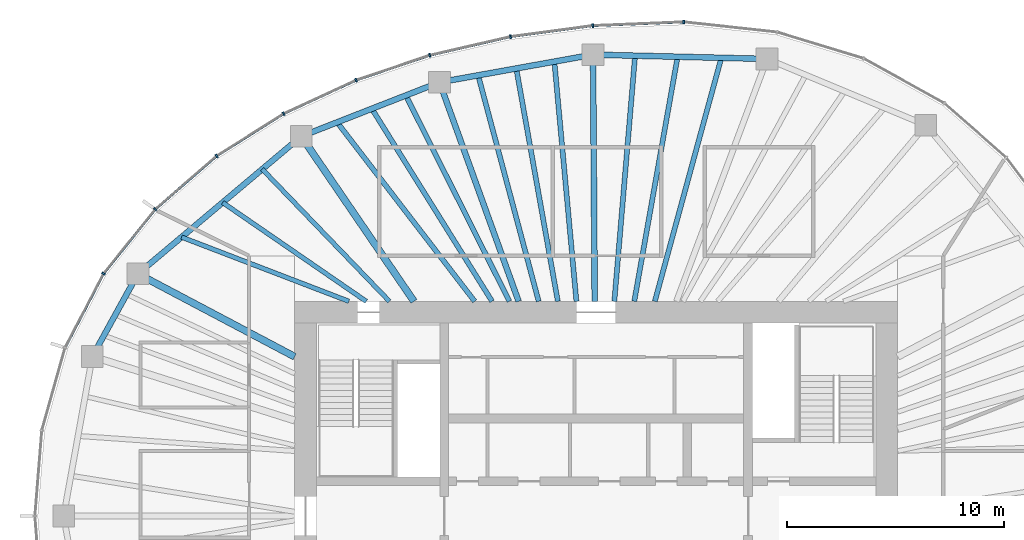
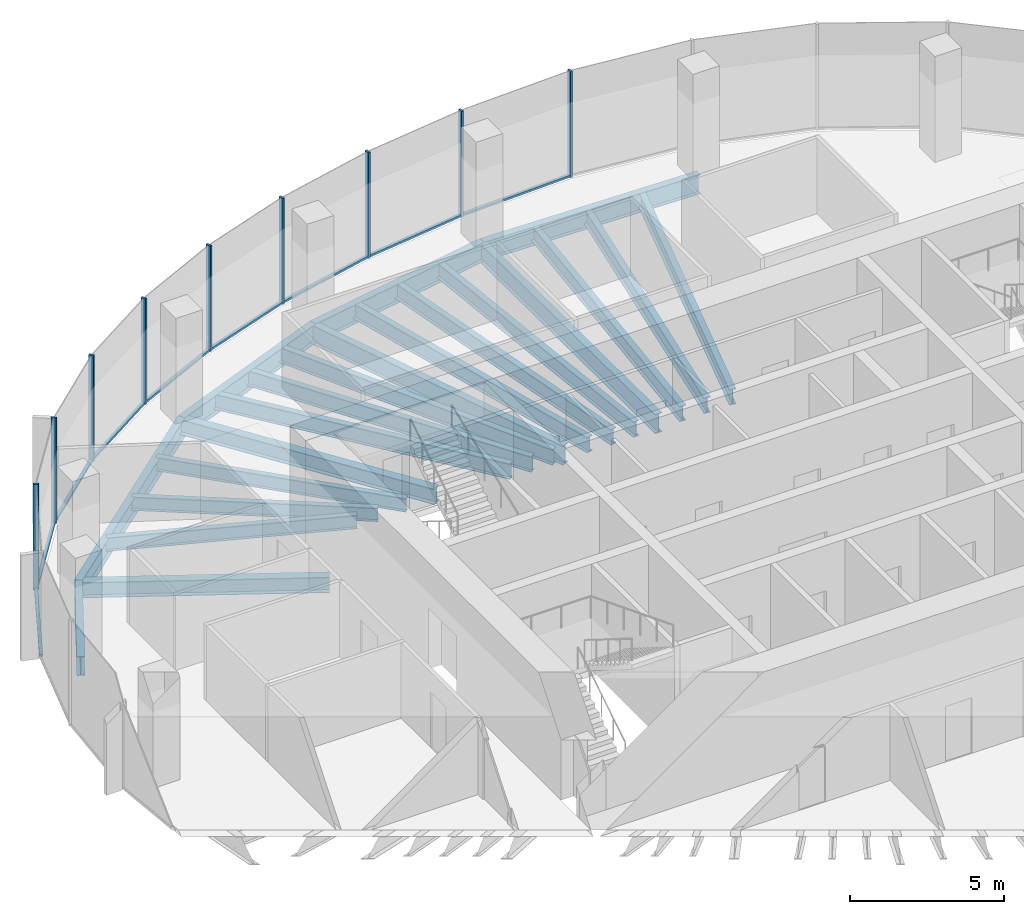
# One storey, part 5 of 11: 21 beams, 18 members, 5 elements without a shape of their own.
"""IFC4 building model written with IfcOpenShell, lengths in metres."""

import ifcopenshell
import ifcopenshell.guid

model = None  # the IFC model being written
_history = None  # IfcOwnerHistory: only IFC2X3 demands one
_inside = {}  # id of a spatial element -> (the spatial element, [elements in it])
_under = {}  # id of a project, library or spatial element -> (it, [spatial elements below it])
_declared = {}  # id of a project -> (the project, [libraries it declares])
_typed = {}  # id of a type object -> (the type object, [elements of that type])
_made_of = {}  # id of a material, layer set ... -> (it, [elements and type objects made of it])


def new_model(schema):
    """Start an empty IFC model of exactly this schema.

    Asked for "IFC4X3", IfcOpenShell would pick the latest addendum, in which some entities
    have other attributes; the version numbers below select the first issue.
    IFC2X3 requires an IfcOwnerHistory on every rooted entity: one is made here for all.
    """
    global model, _history
    if schema == "IFC4X3":
        model = ifcopenshell.file(schema_version=(4, 3, 0, 0))
    else:
        model = ifcopenshell.file(schema=schema)
    _inside.clear()
    _under.clear()
    _declared.clear()
    _typed.clear()
    _made_of.clear()
    _history = None
    if model.schema == "IFC2X3":
        org = make("IfcOrganization", Name="unknown")
        user = make(
            "IfcPersonAndOrganization",
            ThePerson=make("IfcPerson", FamilyName="unknown"),
            TheOrganization=org,
        )
        app = make(
            "IfcApplication",
            ApplicationDeveloper=org,
            Version="unknown",
            ApplicationFullName="unknown",
            ApplicationIdentifier="unknown",
        )
        _history = make(
            "IfcOwnerHistory",
            OwningUser=user,
            OwningApplication=app,
            ChangeAction="ADDED",
            CreationDate=0,
        )
    return model


def make(cls, **values):
    """One entity of the class cls with the attributes given. An attribute that is None is left unset."""
    return model.create_entity(
        cls, **{name: value for name, value in values.items() if value is not None}
    )


def rooted(cls, **values):
    """An entity with a GlobalId (a new one), such as an element, a storey or a relation."""
    return make(cls, GlobalId=ifcopenshell.guid.new(), OwnerHistory=_history, **values)


def si_unit(unit_type, name, prefix=None):
    """IfcSIUnit, for example si_unit("LENGTHUNIT", "METRE", prefix="MILLI")."""
    return make("IfcSIUnit", UnitType=unit_type, Prefix=prefix, Name=name)


def assignment(units):
    """IfcUnitAssignment: the units of a project."""
    return None if units is None else make("IfcUnitAssignment", Units=units)


def point(xyz):
    """IfcCartesianPoint."""
    return None if xyz is None else make("IfcCartesianPoint", Coordinates=xyz)


def direction(xyz):
    """IfcDirection."""
    return None if xyz is None else make("IfcDirection", DirectionRatios=xyz)


def frame(location, z_axis=None, x_axis=None):
    """IfcAxis2Placement3D, a coordinate frame: its origin and axes. An axis left out is left unset."""
    return make(
        "IfcAxis2Placement3D",
        Location=point(location),
        Axis=direction(z_axis),
        RefDirection=direction(x_axis),
    )


def frame_2d(location, x_axis=None):
    """IfcAxis2Placement2D, a coordinate frame in the plane: its origin and x axis."""
    return make(
        "IfcAxis2Placement2D", Location=point(location), RefDirection=direction(x_axis)
    )


def origin():
    """The frame at (0, 0, 0) with its axes left unset."""
    return frame((0.0, 0.0, 0.0))


def origin_2d():
    """The frame at (0, 0) in the plane with its x axis left unset."""
    return frame_2d((0.0, 0.0))


def place(relative_to, where):
    """IfcLocalPlacement: puts the frame where relative to a parent placement (None: the world)."""
    return make(
        "IfcLocalPlacement", PlacementRelTo=relative_to, RelativePlacement=where
    )


def context(
    kind, dimensions, precision=None, world=None, true_north=None, identifier=None
):
    """IfcGeometricRepresentationContext, for example the 3D "Model" context."""
    return make(
        "IfcGeometricRepresentationContext",
        ContextIdentifier=identifier,
        ContextType=kind,
        CoordinateSpaceDimension=dimensions,
        Precision=precision,
        WorldCoordinateSystem=world,
        TrueNorth=true_north,
    )


def subcontext(parent, identifier, kind, view, scale=None):
    """IfcGeometricRepresentationSubContext, for example "Body" below "Model"."""
    return make(
        "IfcGeometricRepresentationSubContext",
        ContextIdentifier=identifier,
        ContextType=kind,
        ParentContext=parent,
        TargetScale=scale,
        TargetView=view,
    )


def project(units=None, contexts=None):
    """IfcProject with its units and contexts."""
    return rooted(
        "IfcProject",
        Name="project",
        RepresentationContexts=contexts,
        UnitsInContext=assignment(units),
    )


def spatial(cls, under=None, at=None, **own):
    """A site, building, storey or space (cls), placed at a placement, below another one or the project."""
    s = rooted(cls, ObjectPlacement=at, **own)
    if under is not None:
        _under.setdefault(under.id(), (under, []))[1].append(s)
    return s


def profile(cls, at=None, kind="AREA", **sizes):
    """A parametric profile (cls). Its sizes go by their IFC names, for example OverallWidth=200.0."""
    return make(cls, ProfileType=kind, Position=at, **sizes)


def rectangle(**sizes):
    """IfcRectangleProfileDef."""
    return profile("IfcRectangleProfileDef", **sizes)


def i_section(**sizes):
    """IfcIShapeProfileDef."""
    return profile("IfcIShapeProfileDef", **sizes)


def extrude(swept, where, along, depth):
    """IfcExtrudedAreaSolid: the profile swept, set in the frame where, extruded along a direction by depth."""
    return make(
        "IfcExtrudedAreaSolid",
        SweptArea=swept,
        Position=where,
        ExtrudedDirection=direction(along),
        Depth=depth,
    )


def shape(context_of_items, identifier, shape_type, items):
    """IfcShapeRepresentation: the items that make up one representation, for example the "Body"."""
    return make(
        "IfcShapeRepresentation",
        ContextOfItems=context_of_items,
        RepresentationIdentifier=identifier,
        RepresentationType=shape_type,
        Items=items,
    )


def material(Name=None, Category=None):
    """IfcMaterial."""
    return make("IfcMaterial", Name=Name, Category=Category)


def material_profile(
    of_material, cross_section, Name=None, Category=None, Priority=None
):
    """IfcMaterialProfile: a cross section and its material."""
    return make(
        "IfcMaterialProfile",
        Name=Name,
        Material=of_material,
        Profile=cross_section,
        Priority=Priority,
        Category=Category,
    )


def profile_set(profiles, Name=None, composite=None):
    """IfcMaterialProfileSet."""
    return make(
        "IfcMaterialProfileSet",
        Name=Name,
        MaterialProfiles=profiles,
        CompositeProfile=composite,
    )


def made_of(thing, what):
    """Note that an element or type object is made of a material, layer set ...; save() writes the relation."""
    if what is not None:
        _made_of.setdefault(what.id(), (what, []))[1].append(thing)
    return thing


def type_object(cls, material=None, **own):
    """A type object (cls), such as IfcWallType, which elements share."""
    return made_of(rooted(cls, **own), material)


def element(
    cls,
    number,
    at=None,
    inside=None,
    cuts=None,
    type_object=None,
    material=None,
    context=None,
    identifier="Body",
    shape_type=None,
    held_by="IfcProductDefinitionShape",
    body=None,
    shapes=None,
    **own,
):
    """One element of the class cls, such as IfcWall. Its Tag is "e" and its number.

    at: its placement. inside: the storey or other place that contains it. cuts: it is an
    opening in that element (IfcRelVoidsElement). A single representation is given by context,
    identifier, shape_type and body (its items); several are given by shapes. held_by: the class
    of the entity that holds the representations. save() writes the other relations.
    """
    e = rooted(cls, Tag="e%d" % number, ObjectPlacement=at, **own)
    if body is not None:
        shapes = [shape(context, identifier, shape_type, body)]
    if shapes is not None:
        e.Representation = make(held_by, Representations=shapes)
    if inside is not None:
        _inside.setdefault(inside.id(), (inside, []))[1].append(e)
    if cuts is not None:
        rooted(
            "IfcRelVoidsElement", RelatingBuildingElement=cuts, RelatedOpeningElement=e
        )
    if type_object is not None:
        _typed.setdefault(type_object.id(), (type_object, []))[1].append(e)
    return made_of(e, material)


def aggregate(whole, parts):
    """IfcRelAggregates: a whole, such as a stair, and the parts it consists of."""
    return rooted("IfcRelAggregates", RelatingObject=whole, RelatedObjects=parts)


def save(model, path):
    """Write the relations noted so far, then the file.

    IfcRelAggregates (storeys below a building ...), IfcRelContainedInSpatialStructure (elements
    in a storey), IfcRelDefinesByType, IfcRelAssociatesMaterial and IfcRelDeclares: one each for
    every whole, place, type object, material and project.
    """
    for whole, parts in _under.values():
        aggregate(whole, parts)
    for where, things in _inside.values():
        rooted(
            "IfcRelContainedInSpatialStructure",
            RelatedElements=things,
            RelatingStructure=where,
        )
    for kind, things in _typed.values():
        rooted("IfcRelDefinesByType", RelatedObjects=things, RelatingType=kind)
    for what, things in _made_of.values():
        rooted("IfcRelAssociatesMaterial", RelatedObjects=things, RelatingMaterial=what)
    for by, libraries in _declared.values():
        rooted("IfcRelDeclares", RelatingContext=by, RelatedDefinitions=libraries)
    model.write(path)


model = new_model("IFC4")

# Units and contexts
model_context = context("Model", 3, precision=1e-05, world=origin(), true_north=direction((0.0, 1.0)))
body_context = subcontext(model_context, "Body", "Model", "MODEL_VIEW")
ifc_project = project(units=[si_unit("LENGTHUNIT", "METRE"), si_unit("AREAUNIT", "SQUARE_METRE"), si_unit("VOLUMEUNIT", "CUBIC_METRE"), si_unit("PLANEANGLEUNIT", "RADIAN"), si_unit("MASSUNIT", "GRAM", prefix="KILO")], contexts=[model_context])

# Site, building, storey
site_placement = place(None, origin())
site = spatial("IfcSite", under=ifc_project, at=site_placement, CompositionType="ELEMENT")
building_placement = place(site_placement, origin())
building = spatial("IfcBuilding", under=site, at=building_placement, Name="Ghaith Harvest Tower", CompositionType="ELEMENT")
storey_placement = place(building_placement, frame((0.0, 0.0, 325.800048828125)))
storey = spatial("IfcBuildingStorey", under=building, at=storey_placement, Name="L73", CompositionType="ELEMENT", Elevation=325.800048828125)

# Curtain wall, member
ifc_material_1 = material(Name="Black anodised aluminium and fritted glass", Category="aluminium")
curtain_wall_type = type_object("IfcCurtainWallType", Name="CW-T CURTAIN WALL", PredefinedType="NOTDEFINED", material=ifc_material_1)
curtain_wall_1_placement = place(storey_placement, origin())
curtain_wall_1 = element("IfcCurtainWall", 1, at=curtain_wall_1_placement, inside=storey, type_object=curtain_wall_type, Name="Curtain wall CW-T bay 05 L73", PredefinedType="NOTDEFINED")
ifc_material_2 = material(Name="Aluminium, black anodised", Category="aluminium")
ifc_material_profile_1 = material_profile(ifc_material_2, rectangle(XDim=0.080078125, YDim=0.179931640625, at=origin_2d()), Name="CW-T MULLION 80x180")
ifc_profile_set_1 = profile_set([ifc_material_profile_1], Name="Aluminium, black anodised")
member_type_1 = type_object("IfcMemberType", Name="CW-T MULLION 80x180", PredefinedType="MULLION", material=ifc_profile_set_1)
member_1_placement = place(storey_placement, frame((4.037841796875, 22.776611328125, 0.0), z_axis=(0.0, 0.0, 1.0), x_axis=(-0.999388631236, 0.034962319079, 0.0)))
member_1 = element("IfcMember", 2, at=member_1_placement, type_object=member_type_1, Name="CW-T mullion 2 bay 05 L73", PredefinedType="MULLION", context=body_context, shape_type="SweptSolid", body=[
    extrude(rectangle(XDim=0.080078125, YDim=0.179931640625, at=origin_2d()), origin(), (0.0, 0.0, 1.0), 4.199951171875),
])

# Curtain wall, members
curtain_wall_2_placement = place(storey_placement, origin())
curtain_wall_2 = element("IfcCurtainWall", 3, at=curtain_wall_2_placement, inside=storey, type_object=curtain_wall_type, Name="Curtain wall CW-T bay 06 L73", PredefinedType="NOTDEFINED")
member_2_placement = place(storey_placement, frame((-0.15478515625, 22.60595703125, 0.0), z_axis=(0.0, 0.0, 1.0), x_axis=(-0.996414855482, -0.084601629853, 0.0)))
member_2 = element("IfcMember", 4, at=member_2_placement, type_object=member_type_1, Name="CW-T mullion 1 bay 06 L73", PredefinedType="MULLION", context=body_context, shape_type="SweptSolid", body=[
    extrude(rectangle(XDim=0.080078125, YDim=0.179931640625, at=origin_2d()), origin(), (0.0, 0.0, 1.0), 4.199951171875),
])
member_3_placement = place(storey_placement, frame((-3.946533203125, 22.0986328125, 0.0), z_axis=(0.0, 0.0, 1.0), x_axis=(-0.983843447681, -0.179030920389, 0.0)))
member_3 = element("IfcMember", 5, at=member_3_placement, type_object=member_type_1, Name="CW-T mullion 2 bay 06 L73", PredefinedType="MULLION", context=body_context, shape_type="SweptSolid", body=[
    extrude(rectangle(XDim=0.080078125, YDim=0.179931640625, at=origin_2d()), origin(), (0.0, 0.0, 1.0), 4.199951171875),
])

curtain_wall_3_placement = place(storey_placement, origin())
curtain_wall_3 = element("IfcCurtainWall", 6, at=curtain_wall_3_placement, inside=storey, type_object=curtain_wall_type, Name="Curtain wall CW-T bay 07 L73", PredefinedType="NOTDEFINED")
member_4_placement = place(storey_placement, frame((-7.6708984375, 21.23828125, 0.0), z_axis=(0.0, 0.0, 1.0), x_axis=(-0.962552491436, -0.27109537294, 0.0)))
member_4 = element("IfcMember", 7, at=member_4_placement, type_object=member_type_1, Name="CW-T mullion 1 bay 07 L73", PredefinedType="MULLION", context=body_context, shape_type="SweptSolid", body=[
    extrude(rectangle(XDim=0.080078125, YDim=0.179931640625, at=origin_2d()), origin(), (0.0, 0.0, 1.0), 4.199951171875),
])
member_5_placement = place(storey_placement, frame((-11.0673828125, 20.093017578125, 0.0), z_axis=(0.0, 0.0, 1.0), x_axis=(-0.928624420706, -0.371021138573, 0.0)))
member_5 = element("IfcMember", 8, at=member_5_placement, type_object=member_type_1, Name="CW-T mullion 2 bay 07 L73", PredefinedType="MULLION", context=body_context, shape_type="SweptSolid", body=[
    extrude(rectangle(XDim=0.080078125, YDim=0.179931640625, at=origin_2d()), origin(), (0.0, 0.0, 1.0), 4.199951171875),
])

curtain_wall_4_placement = place(storey_placement, origin())
curtain_wall_4 = element("IfcCurtainWall", 9, at=curtain_wall_4_placement, inside=storey, type_object=curtain_wall_type, Name="Curtain wall CW-T bay 08 L73", PredefinedType="NOTDEFINED")
member_6_placement = place(storey_placement, frame((-14.40478515625, 18.5478515625, 0.0), z_axis=(0.0, 0.0, 1.0), x_axis=(-0.87867173244, -0.477426420101, 0.0)))
member_6 = element("IfcMember", 10, at=member_6_placement, type_object=member_type_1, Name="CW-T mullion 1 bay 08 L73", PredefinedType="MULLION", context=body_context, shape_type="SweptSolid", body=[
    extrude(rectangle(XDim=0.080078125, YDim=0.179931640625, at=origin_2d()), origin(), (0.0, 0.0, 1.0), 4.199951171875),
])
member_7_placement = place(storey_placement, frame((-17.49462890625, 16.600830078125, 0.0), z_axis=(0.0, 0.0, 1.0), x_axis=(-0.802189888678, -0.597068993084, 0.0)))
member_7 = element("IfcMember", 11, at=member_7_placement, type_object=member_type_1, Name="CW-T mullion 2 bay 08 L73", PredefinedType="MULLION", context=body_context, shape_type="SweptSolid", body=[
    extrude(rectangle(XDim=0.080078125, YDim=0.179931640625, at=origin_2d()), origin(), (0.0, 0.0, 1.0), 4.199951171875),
])

curtain_wall_5_placement = place(storey_placement, origin())
curtain_wall_5 = element("IfcCurtainWall", 12, at=curtain_wall_5_placement, inside=storey, type_object=curtain_wall_type, Name="Curtain wall CW-T bay 09 L73", PredefinedType="NOTDEFINED")
member_8_placement = place(storey_placement, frame((-20.324462890625, 14.141845703125, 0.0), z_axis=(0.0, 0.0, 1.0), x_axis=(-0.692826491995, -0.72110432809, 0.0)))
member_8 = element("IfcMember", 13, at=member_8_placement, type_object=member_type_1, Name="CW-T mullion 1 bay 09 L73", PredefinedType="MULLION", context=body_context, shape_type="SweptSolid", body=[
    extrude(rectangle(XDim=0.080078125, YDim=0.179931640625, at=origin_2d()), origin(), (0.0, 0.0, 1.0), 4.199951171875),
])
member_9_placement = place(storey_placement, frame((-22.706298828125, 11.176513671875, 0.0), z_axis=(0.0, 0.0, 1.0), x_axis=(-0.545865412621, -0.837872872997, 0.0)))
member_9 = element("IfcMember", 14, at=member_9_placement, type_object=member_type_1, Name="CW-T mullion 2 bay 09 L73", PredefinedType="MULLION", context=body_context, shape_type="SweptSolid", body=[
    extrude(rectangle(XDim=0.080078125, YDim=0.179931640625, at=origin_2d()), origin(), (0.0, 0.0, 1.0), 4.199951171875),
])

# Member
ifc_material_3 = material(Name="Aluminium, black anodised", Category="aluminium")
ifc_material_profile_2 = material_profile(ifc_material_3, rectangle(XDim=0.1201171875, YDim=0.080078125, at=origin_2d()), Name="CW-T TRANSOM 120x80")
ifc_profile_set_2 = profile_set([ifc_material_profile_2], Name="Aluminium, black anodised")
member_type_2 = type_object("IfcMemberType", Name="CW-T TRANSOM 120x80", PredefinedType="USERDEFINED", material=ifc_profile_set_2)
member_10_placement = place(storey_placement, frame((3.997802734375, 22.77490234375, 0.0400390625), z_axis=(-0.999174207562, -0.040631304968, 0.0), x_axis=(0.040631304968, -0.999174207562, 0.0)))
member_10 = element("IfcMember", 15, at=member_10_placement, type_object=member_type_2, Name="CW-T transom 2 bay 05 L73", ObjectType="TRANSOM", PredefinedType="USERDEFINED", context=body_context, shape_type="SweptSolid", body=[
    extrude(rectangle(XDim=0.1201171875, YDim=0.080078125, at=origin_2d()), origin(), (0.0, 0.0, 1.0), 4.115966796875),
])

aggregate(curtain_wall_1, [member_1, member_10])

member_11_placement = place(storey_placement, frame((-0.1943359375, 22.6005859375, 0.0400390625), z_axis=(-0.99117202259, -0.132582131655, 0.0), x_axis=(0.132582131655, -0.99117202259, 0.0)))
member_11 = element("IfcMember", 16, at=member_11_placement, type_object=member_type_2, Name="CW-T transom 1 bay 06 L73", ObjectType="TRANSOM", PredefinedType="USERDEFINED", context=body_context, shape_type="SweptSolid", body=[
    extrude(rectangle(XDim=0.1201171875, YDim=0.080078125, at=origin_2d()), origin(), (0.0, 0.0, 1.0), 3.745361328125),
])

member_12_placement = place(storey_placement, frame((-3.9853515625, 22.089599609375, 0.0400390625), z_axis=(-0.974344997799, -0.225059603803, 0.0), x_axis=(0.225059603803, -0.974344997799, 0.0)))
member_12 = element("IfcMember", 17, at=member_12_placement, type_object=member_type_2, Name="CW-T transom 2 bay 06 L73", ObjectType="TRANSOM", PredefinedType="USERDEFINED", context=body_context, shape_type="SweptSolid", body=[
    extrude(rectangle(XDim=0.1201171875, YDim=0.080078125, at=origin_2d()), origin(), (0.0, 0.0, 1.0), 3.742431640625),
])

aggregate(curtain_wall_2, [member_2, member_11, member_3, member_12])

member_13_placement = place(storey_placement, frame((-7.708740234375, 21.2255859375, 0.0400390625), z_axis=(-0.9475698206, -0.319548799228, 0.0), x_axis=(0.319548799228, -0.9475698206, 0.0)))
member_13 = element("IfcMember", 18, at=member_13_placement, type_object=member_type_2, Name="CW-T transom 1 bay 07 L73", ObjectType="TRANSOM", PredefinedType="USERDEFINED", context=body_context, shape_type="SweptSolid", body=[
    extrude(rectangle(XDim=0.1201171875, YDim=0.080078125, at=origin_2d()), origin(), (0.0, 0.0, 1.0), 3.504638671875),
])

member_14_placement = place(storey_placement, frame((-11.103759765625, 20.076171875, 0.0400390625), z_axis=(-0.907472177056, -0.420112184862, 0.0), x_axis=(0.420112184862, -0.907472177056, 0.0)))
member_14 = element("IfcMember", 19, at=member_14_placement, type_object=member_type_2, Name="CW-T transom 2 bay 07 L73", ObjectType="TRANSOM", PredefinedType="USERDEFINED", context=body_context, shape_type="SweptSolid", body=[
    extrude(rectangle(XDim=0.1201171875, YDim=0.080078125, at=origin_2d()), origin(), (0.0, 0.0, 1.0), 3.597900390625),
])

aggregate(curtain_wall_3, [member_4, member_13, member_5, member_14])

member_15_placement = place(storey_placement, frame((-14.438720703125, 18.5263671875, 0.0400390625), z_axis=(-0.846053602505, -0.533097835006, 0.0), x_axis=(0.533097835006, -0.846053602505, 0.0)))
member_15 = element("IfcMember", 20, at=member_15_placement, type_object=member_type_2, Name="CW-T transom 1 bay 08 L73", ObjectType="TRANSOM", PredefinedType="USERDEFINED", context=body_context, shape_type="SweptSolid", body=[
    extrude(rectangle(XDim=0.1201171875, YDim=0.080078125, at=origin_2d()), origin(), (0.0, 0.0, 1.0), 3.572021484375),
])

member_16_placement = place(storey_placement, frame((-17.52490234375, 16.574462890625, 0.0400390625), z_axis=(-0.754851889287, -0.65589528527, 0.0), x_axis=(0.65589528527, -0.754851889287, 0.0)))
member_16 = element("IfcMember", 21, at=member_16_placement, type_object=member_type_2, Name="CW-T transom 2 bay 08 L73", ObjectType="TRANSOM", PredefinedType="USERDEFINED", context=body_context, shape_type="SweptSolid", body=[
    extrude(rectangle(XDim=0.1201171875, YDim=0.080078125, at=origin_2d()), origin(), (0.0, 0.0, 1.0), 3.668701171875),
])

aggregate(curtain_wall_4, [member_6, member_15, member_7, member_16])

member_17_placement = place(storey_placement, frame((-20.349365234375, 14.110595703125, 0.0400390625), z_axis=(-0.626253073761, -0.779619835307, 0.0), x_axis=(0.779619835307, -0.626253073761, 0.0)))
member_17 = element("IfcMember", 22, at=member_17_placement, type_object=member_type_2, Name="CW-T transom 1 bay 09 L73", ObjectType="TRANSOM", PredefinedType="USERDEFINED", context=body_context, shape_type="SweptSolid", body=[
    extrude(rectangle(XDim=0.1201171875, YDim=0.080078125, at=origin_2d()), origin(), (0.0, 0.0, 1.0), 3.723388671875),
])

member_18_placement = place(storey_placement, frame((-22.724609375, 11.14111328125, 0.0400390625), z_axis=(-0.461242681347, -0.887274021317, 0.0), x_axis=(0.887274021317, -0.461242681347, 0.0)))
member_18 = element("IfcMember", 23, at=member_18_placement, type_object=member_type_2, Name="CW-T transom 2 bay 09 L73", ObjectType="TRANSOM", PredefinedType="USERDEFINED", context=body_context, shape_type="SweptSolid", body=[
    extrude(rectangle(XDim=0.1201171875, YDim=0.080078125, at=origin_2d()), origin(), (0.0, 0.0, 1.0), 3.77197265625),
])

aggregate(curtain_wall_5, [member_8, member_17, member_9, member_18])

# Beams
ifc_material_4 = material(Name="Steel ASTM A992 Grade 50", Category="steel")
ifc_material_profile_3 = material_profile(ifc_material_4, i_section(OverallWidth=0.26611328125, OverallDepth=0.758056640625, WebThickness=0.013916015625, FlangeThickness=0.019287109375, at=origin_2d()), Name="W760X161")
ifc_profile_set_3 = profile_set([ifc_material_profile_3], Name="Steel ASTM A992 Grade 50")
beam_type_1 = type_object("IfcBeamType", Name="E760-161 W760X161", PredefinedType="SPANDREL", material=ifc_profile_set_3)
beam_1_placement = place(storey_placement, frame((7.8779296875, 21.072021484375, -0.549072265625), z_axis=(-0.999692679676, 0.024790042413, 0.0), x_axis=(-0.024790042413, -0.999692679676, 0.0)))
element("IfcBeam", 24, at=beam_1_placement, inside=storey, type_object=beam_type_1, Name="Edge beam E05 L73", PredefinedType="SPANDREL", context=body_context, shape_type="SweptSolid", body=[
    extrude(i_section(OverallWidth=0.26611328125, OverallDepth=0.758056640625, WebThickness=0.013916015625, FlangeThickness=0.019287109375, at=origin_2d()), origin(), (0.0, 0.0, 1.0), 8.0263671875),
])
beam_2_placement = place(storey_placement, frame((-0.14599609375, 21.27099609375, -0.549072265625), z_axis=(-0.984177047684, -0.177187863051, 0.0), x_axis=(0.177187863051, -0.984177047684, 0.0)))
element("IfcBeam", 25, at=beam_2_placement, inside=storey, type_object=beam_type_1, Name="Edge beam E06 L73", PredefinedType="SPANDREL", context=body_context, shape_type="SweptSolid", body=[
    extrude(i_section(OverallWidth=0.26611328125, OverallDepth=0.758056640625, WebThickness=0.013916015625, FlangeThickness=0.019287109375, at=origin_2d()), origin(), (0.0, 0.0, 1.0), 7.189697265625),
])
beam_3_placement = place(storey_placement, frame((-7.221923828125, 19.9970703125, -0.549072265625), z_axis=(-0.931322768207, -0.364194867371, 0.0), x_axis=(0.364194867371, -0.931322768207, 0.0)))
element("IfcBeam", 26, at=beam_3_placement, inside=storey, type_object=beam_type_1, Name="Edge beam E07 L73", PredefinedType="SPANDREL", context=body_context, shape_type="SweptSolid", body=[
    extrude(i_section(OverallWidth=0.26611328125, OverallDepth=0.758056640625, WebThickness=0.013916015625, FlangeThickness=0.019287109375, at=origin_2d()), origin(), (0.0, 0.0, 1.0), 6.843017578125),
])
beam_4_placement = place(storey_placement, frame((-13.594970703125, 17.5048828125, -0.549072265625), z_axis=(-0.765021818761, -0.64400436087, 0.0), x_axis=(0.64400436087, -0.765021818761, 0.0)))
element("IfcBeam", 27, at=beam_4_placement, inside=storey, type_object=beam_type_1, Name="Edge beam E08 L73", PredefinedType="SPANDREL", context=body_context, shape_type="SweptSolid", body=[
    extrude(i_section(OverallWidth=0.26611328125, OverallDepth=0.758056640625, WebThickness=0.013916015625, FlangeThickness=0.019287109375, at=origin_2d()), origin(), (0.0, 0.0, 1.0), 9.8427734375),
])
beam_5_placement = place(storey_placement, frame((-21.125, 11.166015625, -0.549072265625), z_axis=(-0.482955575345, -0.875644855089, 0.0), x_axis=(0.875644855089, -0.482955575345, 0.0)))
element("IfcBeam", 28, at=beam_5_placement, inside=storey, type_object=beam_type_1, Name="Edge beam E09 L73", PredefinedType="SPANDREL", context=body_context, shape_type="SweptSolid", body=[
    extrude(i_section(OverallWidth=0.26611328125, OverallDepth=0.758056640625, WebThickness=0.013916015625, FlangeThickness=0.019287109375, at=origin_2d()), origin(), (0.0, 0.0, 1.0), 4.346435546875),
])
ifc_material_5 = material(Name="Steel ASTM A992 Grade 50", Category="steel")
ifc_material_profile_4 = material_profile(ifc_material_5, i_section(OverallWidth=0.323974609375, OverallDepth=0.611083984375, WebThickness=0.0126953125, FlangeThickness=0.01904296875, at=origin_2d()), Name="W610X155")
ifc_profile_set_4 = profile_set([ifc_material_profile_4], Name="Steel ASTM A992 Grade 50")
beam_type_2 = type_object("IfcBeamType", Name="G610-155 W610X155", PredefinedType="BEAM", material=ifc_profile_set_4)
beam_6_placement = place(storey_placement, frame((-8.39990234375, 9.89990234375, -0.4755859375), z_axis=(-0.564067018201, 0.825729010619, 0.0), x_axis=(-0.825729010619, -0.564067018201, 0.0)))
element("IfcBeam", 29, at=beam_6_placement, inside=storey, type_object=beam_type_2, Name="Radial girder G08 L73", PredefinedType="BEAM", context=body_context, shape_type="SweptSolid", body=[
    extrude(i_section(OverallWidth=0.323974609375, OverallDepth=0.611083984375, WebThickness=0.0126953125, FlangeThickness=0.01904296875, at=origin_2d()), origin(), (0.0, 0.0, 1.0), 9.2099609375),
])
beam_7_placement = place(storey_placement, frame((-13.89990234375, 7.34716796875, -0.4755859375), z_axis=(-0.88410164037, 0.467294649546, 0.0), x_axis=(-0.467294649546, -0.88410164037, 0.0)))
element("IfcBeam", 30, at=beam_7_placement, inside=storey, type_object=beam_type_2, Name="Radial girder G09 L73", PredefinedType="BEAM", context=body_context, shape_type="SweptSolid", body=[
    extrude(i_section(OverallWidth=0.323974609375, OverallDepth=0.611083984375, WebThickness=0.0126953125, FlangeThickness=0.01904296875, at=origin_2d()), origin(), (0.0, 0.0, 1.0), 8.17236328125),
])
ifc_material_6 = material(Name="Steel ASTM A992 Grade 50", Category="steel")
ifc_material_profile_5 = material_profile(ifc_material_6, i_section(OverallWidth=0.26611328125, OverallDepth=0.758056640625, WebThickness=0.013916015625, FlangeThickness=0.019287109375, at=origin_2d()), Name="W760X161")
ifc_profile_set_5 = profile_set([ifc_material_profile_5], Name="Steel ASTM A992 Grade 50")
beam_type_3 = type_object("IfcBeamType", Name="G760-161 W760X161", PredefinedType="BEAM", material=ifc_profile_set_5)
beam_8_placement = place(storey_placement, frame((-0.06787109375, 9.89990234375, -0.549072265625), z_axis=(-0.00687032909, 0.999976399011, 0.0), x_axis=(-0.999976399011, -0.00687032909, 0.0)))
element("IfcBeam", 31, at=beam_8_placement, inside=storey, type_object=beam_type_3, Name="Radial girder G06 L73", PredefinedType="BEAM", context=body_context, shape_type="SweptSolid", body=[
    extrude(i_section(OverallWidth=0.26611328125, OverallDepth=0.758056640625, WebThickness=0.013916015625, FlangeThickness=0.019287109375, at=origin_2d()), origin(), (0.0, 0.0, 1.0), 11.371337890625),
])
beam_9_placement = place(storey_placement, frame((-3.57568359375, 9.89990234375, -0.549072265625), z_axis=(-0.339647816823, 0.940552688863, 0.0), x_axis=(-0.940552688863, -0.339647816823, 0.0)))
element("IfcBeam", 32, at=beam_9_placement, inside=storey, type_object=beam_type_3, Name="Radial girder G07 L73", PredefinedType="BEAM", context=body_context, shape_type="SweptSolid", body=[
    extrude(i_section(OverallWidth=0.26611328125, OverallDepth=0.758056640625, WebThickness=0.013916015625, FlangeThickness=0.019287109375, at=origin_2d()), origin(), (0.0, 0.0, 1.0), 10.7353515625),
])
ifc_material_7 = material(Name="Steel ASTM A992 Grade 50", Category="steel")
ifc_material_profile_6 = material_profile(ifc_material_7, i_section(OverallWidth=0.2109375, OverallDepth=0.5390625, WebThickness=0.01171875, FlangeThickness=0.018798828125, at=origin_2d()), Name="W530X109")
ifc_profile_set_6 = profile_set([ifc_material_profile_6], Name="Steel ASTM A992 Grade 50")
beam_type_4 = type_object("IfcBeamType", Name="J530-109 W530X109", PredefinedType="JOIST", material=ifc_profile_set_6)
beam_10_placement = place(storey_placement, frame((-9.530517578125, 9.89990234375, -0.439453125), z_axis=(-0.693536238632, 0.720421741554, 0.0), x_axis=(-0.720421741554, -0.693536238632, 0.0)))
element("IfcBeam", 33, at=beam_10_placement, inside=storey, type_object=beam_type_4, Name="Joist J08.1 L73", PredefinedType="JOIST", context=body_context, shape_type="SweptSolid", body=[
    extrude(i_section(OverallWidth=0.2109375, OverallDepth=0.5390625, WebThickness=0.01171875, FlangeThickness=0.018798828125, at=origin_2d()), origin(), (0.0, 0.0, 1.0), 8.4541015625),
])
beam_11_placement = place(storey_placement, frame((-10.60009765625, 9.89990234375, -0.439453125), z_axis=(-0.823778502511, 0.566911791023, 0.0), x_axis=(-0.566911791023, -0.823778502511, 0.0)))
element("IfcBeam", 34, at=beam_11_placement, inside=storey, type_object=beam_type_4, Name="Joist J08.2 L73", PredefinedType="JOIST", context=body_context, shape_type="SweptSolid", body=[
    extrude(i_section(OverallWidth=0.2109375, OverallDepth=0.5390625, WebThickness=0.01171875, FlangeThickness=0.018798828125, at=origin_2d()), origin(), (0.0, 0.0, 1.0), 8.0341796875),
])
beam_12_placement = place(storey_placement, frame((-11.39990234375, 9.89990234375, -0.439453125), z_axis=(-0.933583045329, 0.358361127181, 0.0), x_axis=(-0.358361127181, -0.933583045329, 0.0)))
element("IfcBeam", 35, at=beam_12_placement, inside=storey, type_object=beam_type_4, Name="Joist J08.3 L73", PredefinedType="JOIST", context=body_context, shape_type="SweptSolid", body=[
    extrude(i_section(OverallWidth=0.2109375, OverallDepth=0.5390625, WebThickness=0.01171875, FlangeThickness=0.018798828125, at=origin_2d()), origin(), (0.0, 0.0, 1.0), 8.260986328125),
])
ifc_material_8 = material(Name="Steel ASTM A992 Grade 50", Category="steel")
ifc_material_profile_7 = material_profile(ifc_material_8, i_section(OverallWidth=0.22998046875, OverallDepth=0.616943359375, WebThickness=0.01318359375, FlangeThickness=0.022216796875, at=origin_2d()), Name="W610X140")
ifc_profile_set_7 = profile_set([ifc_material_profile_7], Name="Steel ASTM A992 Grade 50")
beam_type_5 = type_object("IfcBeamType", Name="J610-140 W610X140", PredefinedType="JOIST", material=ifc_profile_set_7)
beam_13_placement = place(storey_placement, frame((2.70361328125, 9.89990234375, -0.478515625), z_axis=(0.263456499314, 0.964671277156, 0.0), x_axis=(-0.964671277156, 0.263456499314, 0.0)))
element("IfcBeam", 36, at=beam_13_placement, inside=storey, type_object=beam_type_5, Name="Joist J05.1 L73", PredefinedType="JOIST", context=body_context, shape_type="SweptSolid", body=[
    extrude(i_section(OverallWidth=0.22998046875, OverallDepth=0.616943359375, WebThickness=0.01318359375, FlangeThickness=0.022216796875, at=origin_2d()), origin(), (0.0, 0.0, 1.0), 11.635498046875),
])
beam_14_placement = place(storey_placement, frame((1.7548828125, 9.89990234375, -0.478515625), z_axis=(0.174562528022, 0.984646090639, 0.0), x_axis=(-0.984646090639, 0.174562528022, 0.0)))
element("IfcBeam", 37, at=beam_14_placement, inside=storey, type_object=beam_type_5, Name="Joist J05.2 L73", PredefinedType="JOIST", context=body_context, shape_type="SweptSolid", body=[
    extrude(i_section(OverallWidth=0.22998046875, OverallDepth=0.616943359375, WebThickness=0.01318359375, FlangeThickness=0.022216796875, at=origin_2d()), origin(), (0.0, 0.0, 1.0), 11.4501953125),
])
beam_15_placement = place(storey_placement, frame((0.836669921875, 9.89990234375, -0.478515625), z_axis=(0.084199386432, 0.996448926601, 0.0), x_axis=(-0.996448926601, 0.084199386432, 0.0)))
element("IfcBeam", 38, at=beam_15_placement, inside=storey, type_object=beam_type_5, Name="Joist J05.3 L73", PredefinedType="JOIST", context=body_context, shape_type="SweptSolid", body=[
    extrude(i_section(OverallWidth=0.22998046875, OverallDepth=0.616943359375, WebThickness=0.01318359375, FlangeThickness=0.022216796875, at=origin_2d()), origin(), (0.0, 0.0, 1.0), 11.36328125),
])
beam_16_placement = place(storey_placement, frame((-0.9111328125, 9.89990234375, -0.478515625), z_axis=(-0.091654473201, 0.995790870385, 0.0), x_axis=(-0.995790870385, -0.091654473201, 0.0)))
element("IfcBeam", 39, at=beam_16_placement, inside=storey, type_object=beam_type_5, Name="Joist J06.1 L73", PredefinedType="JOIST", context=body_context, shape_type="SweptSolid", body=[
    extrude(i_section(OverallWidth=0.22998046875, OverallDepth=0.616943359375, WebThickness=0.01318359375, FlangeThickness=0.022216796875, at=origin_2d()), origin(), (0.0, 0.0, 1.0), 11.096923828125),
])
beam_17_placement = place(storey_placement, frame((-1.76806640625, 9.89990234375, -0.478515625), z_axis=(-0.175789088574, 0.984427852277, 0.0), x_axis=(-0.984427852277, -0.175789088574, 0.0)))
element("IfcBeam", 40, at=beam_17_placement, inside=storey, type_object=beam_type_5, Name="Joist J06.2 L73", PredefinedType="JOIST", context=body_context, shape_type="SweptSolid", body=[
    extrude(i_section(OverallWidth=0.22998046875, OverallDepth=0.616943359375, WebThickness=0.01318359375, FlangeThickness=0.022216796875, at=origin_2d()), origin(), (0.0, 0.0, 1.0), 10.903564453125),
])
beam_18_placement = place(storey_placement, frame((-2.651123046875, 9.89990234375, -0.478515625), z_axis=(-0.258678376387, 0.96596350738, 0.0), x_axis=(-0.96596350738, -0.258678376387, 0.0)))
element("IfcBeam", 41, at=beam_18_placement, inside=storey, type_object=beam_type_5, Name="Joist J06.3 L73", PredefinedType="JOIST", context=body_context, shape_type="SweptSolid", body=[
    extrude(i_section(OverallWidth=0.22998046875, OverallDepth=0.616943359375, WebThickness=0.01318359375, FlangeThickness=0.022216796875, at=origin_2d()), origin(), (0.0, 0.0, 1.0), 10.784912109375),
])
beam_19_placement = place(storey_placement, frame((-4.0, 9.89990234375, -0.478515625), z_axis=(-0.449556131123, 0.893252083664, 0.0), x_axis=(-0.893252083664, -0.449556131123, 0.0)))
element("IfcBeam", 42, at=beam_19_placement, inside=storey, type_object=beam_type_5, Name="Joist J07.1 L73", PredefinedType="JOIST", context=body_context, shape_type="SweptSolid", body=[
    extrude(i_section(OverallWidth=0.22998046875, OverallDepth=0.616943359375, WebThickness=0.01318359375, FlangeThickness=0.022216796875, at=origin_2d()), origin(), (0.0, 0.0, 1.0), 10.62353515625),
])
beam_20_placement = place(storey_placement, frame((-4.800048828125, 9.89990234375, -0.478515625), z_axis=(-0.529596254905, 0.848249849273, 0.0), x_axis=(-0.848249849273, -0.529596254905, 0.0)))
element("IfcBeam", 43, at=beam_20_placement, inside=storey, type_object=beam_type_5, Name="Joist J07.2 L73", PredefinedType="JOIST", context=body_context, shape_type="SweptSolid", body=[
    extrude(i_section(OverallWidth=0.22998046875, OverallDepth=0.616943359375, WebThickness=0.01318359375, FlangeThickness=0.022216796875, at=origin_2d()), origin(), (0.0, 0.0, 1.0), 10.465087890625),
])
beam_21_placement = place(storey_placement, frame((-5.60009765625, 9.89990234375, -0.478515625), z_axis=(-0.609353577926, 0.792898617144, 0.0), x_axis=(-0.792898617144, -0.609353577926, 0.0)))
element("IfcBeam", 44, at=beam_21_placement, inside=storey, type_object=beam_type_5, Name="Joist J07.3 L73", PredefinedType="JOIST", context=body_context, shape_type="SweptSolid", body=[
    extrude(i_section(OverallWidth=0.22998046875, OverallDepth=0.616943359375, WebThickness=0.01318359375, FlangeThickness=0.022216796875, at=origin_2d()), origin(), (0.0, 0.0, 1.0), 10.406982421875),
])

save(model, "model.ifc")
